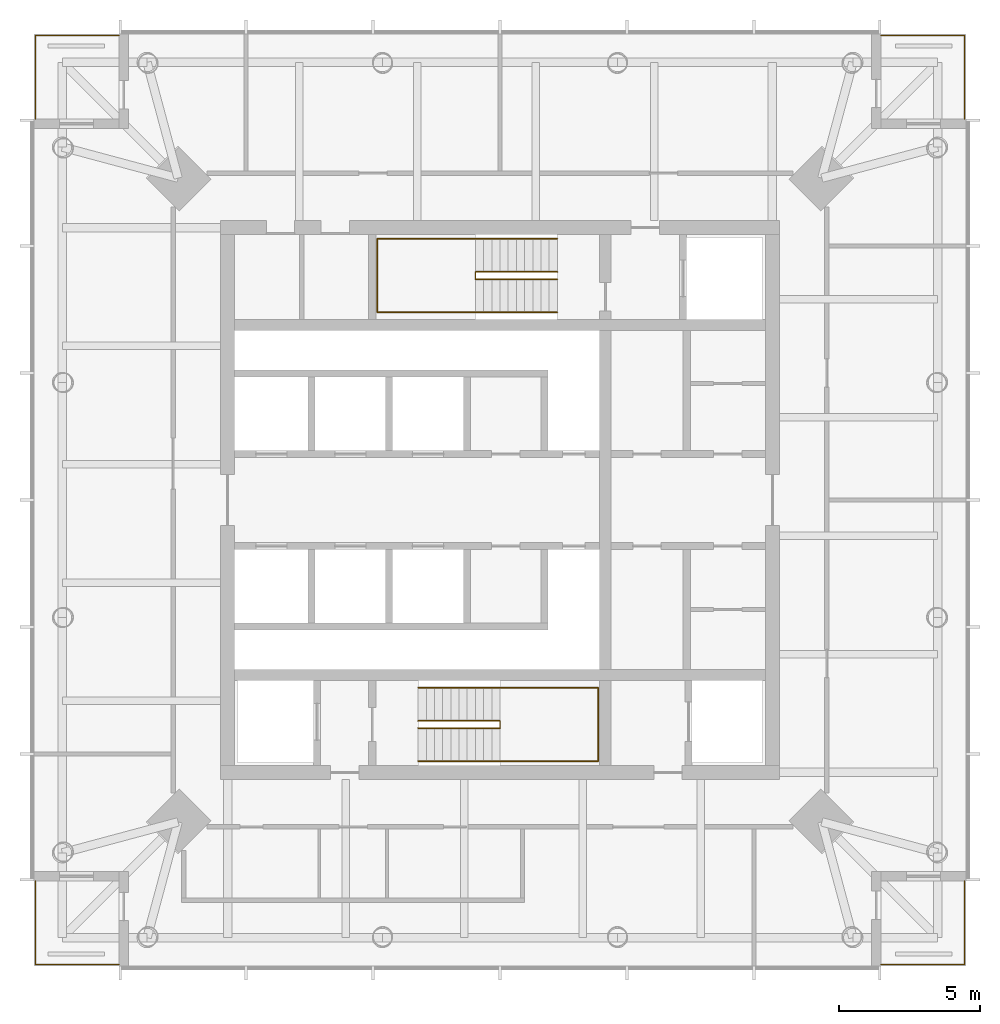
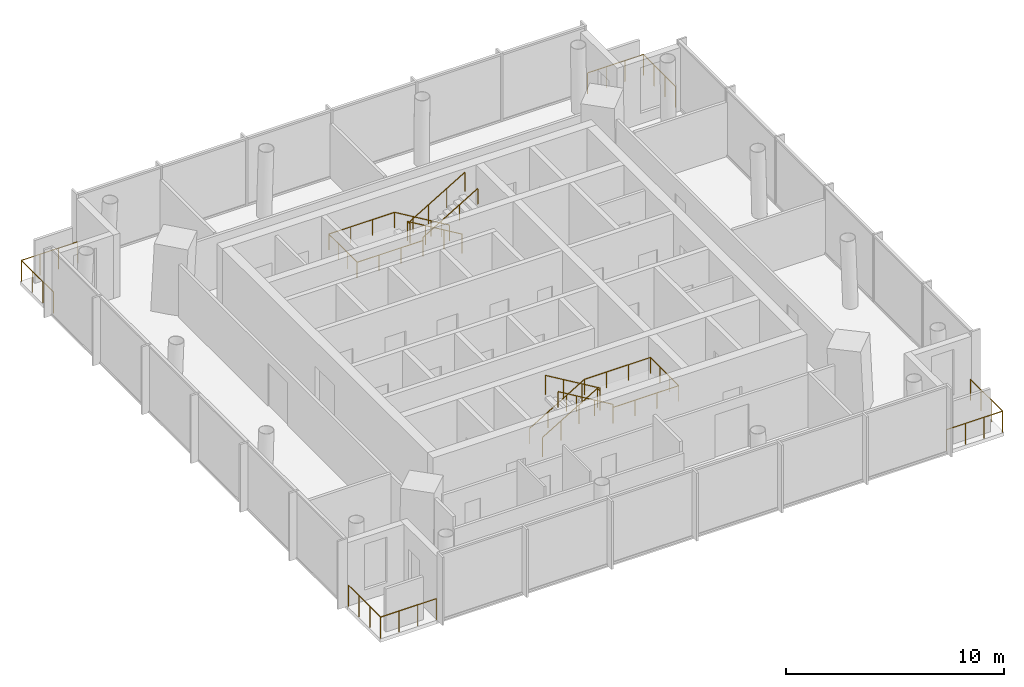
# One storey, part 7 of 7: 8 railings.
"""IFC4 building model written with IfcOpenShell, lengths in metres."""

from ifc_helpers import new_model, si_unit, direction, frame, origin, origin_2d, place, context, subcontext, project, spatial, circle, extrude, material, type_object, element, save


model = new_model("IFC4")

# Units and contexts
model_context = context("Model", 3, precision=1e-05, world=origin(), true_north=direction((0.0, 1.0)))
body_context = subcontext(model_context, "Body", "Model", "MODEL_VIEW")
ifc_project = project(units=[si_unit("LENGTHUNIT", "METRE"), si_unit("AREAUNIT", "SQUARE_METRE"), si_unit("VOLUMEUNIT", "CUBIC_METRE"), si_unit("PLANEANGLEUNIT", "RADIAN"), si_unit("MASSUNIT", "GRAM", prefix="KILO")], contexts=[model_context])

# Site, building, storey
site_placement = place(None, origin())
site = spatial("IfcSite", under=ifc_project, at=site_placement, CompositionType="ELEMENT")
building_placement = place(site_placement, origin())
building = spatial("IfcBuilding", under=site, at=building_placement, Name="Ostroluk Exchange", CompositionType="ELEMENT")
storey_placement = place(building_placement, frame((0.0, 0.0, 287.0)))
storey = spatial("IfcBuildingStorey", under=building, at=storey_placement, Name="L74", CompositionType="ELEMENT", Elevation=287.0)

# Railings
ifc_material_1 = material(Name="Laminated toughened glass", Category="glass")
railing_type_1 = type_object("IfcRailingType", Name="Observation guard 1200 glass", PredefinedType="GUARDRAIL", material=ifc_material_1)
railing_1_placement = place(storey_placement, frame((58.5, 29.550048828125, 0.0)))
element("IfcRailing", 1, at=railing_1_placement, inside=storey, type_object=railing_type_1, Name="Office tower SE balcony guard L74", PredefinedType="GUARDRAIL", context=body_context, shape_type="SweptSolid", body=[
    extrude(circle(Radius=0.02392578125, at=origin_2d()), frame((0.0, 0.0, 1.17578125), z_axis=(1.0, 0.0, 0.0), x_axis=(0.0, 1.0, 0.0)), (0.0, 0.0, 1.0), 2.949951171875),
    extrude(circle(Radius=0.02392578125, at=origin_2d()), frame((2.949951171875, 0.0, 1.17578125), z_axis=(0.0, 1.0, 0.0), x_axis=(-1.0, 0.0, 0.0)), (0.0, 0.0, 1.0), 2.949951171875),
    extrude(circle(Radius=0.02099609375, at=origin_2d()), origin(), (0.0, 0.0, 1.0), 1.15185546875),
    extrude(circle(Radius=0.02099609375, at=origin_2d()), frame((0.9833984375, 0.0, 0.0)), (0.0, 0.0, 1.0), 1.15185546875),
    extrude(circle(Radius=0.02099609375, at=origin_2d()), frame((1.966552734375, 0.0, 0.0)), (0.0, 0.0, 1.0), 1.15185546875),
    extrude(circle(Radius=0.02099609375, at=origin_2d()), frame((2.949951171875, 0.0, 0.0)), (0.0, 0.0, 1.0), 1.15185546875),
    extrude(circle(Radius=0.02099609375, at=origin_2d()), frame((2.949951171875, 0.9833984375, 0.0)), (0.0, 0.0, 1.0), 1.15185546875),
    extrude(circle(Radius=0.02099609375, at=origin_2d()), frame((2.949951171875, 1.966552734375, 0.0)), (0.0, 0.0, 1.0), 1.15185546875),
    extrude(circle(Radius=0.02099609375, at=origin_2d()), frame((2.949951171875, 2.949951171875, 0.0)), (0.0, 0.0, 1.0), 1.15185546875),
])
railing_2_placement = place(storey_placement, frame((58.5, 62.449951171875, 0.0)))
element("IfcRailing", 2, at=railing_2_placement, inside=storey, type_object=railing_type_1, Name="Office tower NE balcony guard L74", PredefinedType="GUARDRAIL", context=body_context, shape_type="SweptSolid", body=[
    extrude(circle(Radius=0.02392578125, at=origin_2d()), frame((0.0, 0.0, 1.17578125), z_axis=(1.0, 0.0, 0.0), x_axis=(0.0, 1.0, 0.0)), (0.0, 0.0, 1.0), 2.949951171875),
    extrude(circle(Radius=0.02392578125, at=origin_2d()), frame((2.949951171875, 0.0, 1.17578125), z_axis=(0.0, -1.0, 0.0), x_axis=(1.0, 0.0, 0.0)), (0.0, 0.0, 1.0), 2.949951171875),
    extrude(circle(Radius=0.02099609375, at=origin_2d()), origin(), (0.0, 0.0, 1.0), 1.15185546875),
    extrude(circle(Radius=0.02099609375, at=origin_2d()), frame((0.9833984375, 0.0, 0.0)), (0.0, 0.0, 1.0), 1.15185546875),
    extrude(circle(Radius=0.02099609375, at=origin_2d()), frame((1.966552734375, 0.0, 0.0)), (0.0, 0.0, 1.0), 1.15185546875),
    extrude(circle(Radius=0.02099609375, at=origin_2d()), frame((2.949951171875, 0.0, 0.0)), (0.0, 0.0, 1.0), 1.15185546875),
    extrude(circle(Radius=0.02099609375, at=origin_2d()), frame((2.949951171875, -0.9833984375, 0.0)), (0.0, 0.0, 1.0), 1.15185546875),
    extrude(circle(Radius=0.02099609375, at=origin_2d()), frame((2.949951171875, -1.966552734375, 0.0)), (0.0, 0.0, 1.0), 1.15185546875),
    extrude(circle(Radius=0.02099609375, at=origin_2d()), frame((2.949951171875, -2.949951171875, 0.0)), (0.0, 0.0, 1.0), 1.15185546875),
])
railing_3_placement = place(storey_placement, frame((31.5, 62.449951171875, 0.0)))
element("IfcRailing", 3, at=railing_3_placement, inside=storey, type_object=railing_type_1, Name="Office tower NW balcony guard L74", PredefinedType="GUARDRAIL", context=body_context, shape_type="SweptSolid", body=[
    extrude(circle(Radius=0.02392578125, at=origin_2d()), frame((0.0, 0.0, 1.17578125), z_axis=(-1.0, 0.0, 0.0), x_axis=(0.0, -1.0, 0.0)), (0.0, 0.0, 1.0), 2.949951171875),
    extrude(circle(Radius=0.02392578125, at=origin_2d()), frame((-2.949951171875, 0.0, 1.17578125), z_axis=(0.0, -1.0, 0.0), x_axis=(1.0, 0.0, 0.0)), (0.0, 0.0, 1.0), 2.949951171875),
    extrude(circle(Radius=0.02099609375, at=origin_2d()), origin(), (0.0, 0.0, 1.0), 1.15185546875),
    extrude(circle(Radius=0.02099609375, at=origin_2d()), frame((-0.9833984375, 0.0, 0.0)), (0.0, 0.0, 1.0), 1.15185546875),
    extrude(circle(Radius=0.02099609375, at=origin_2d()), frame((-1.966552734375, 0.0, 0.0)), (0.0, 0.0, 1.0), 1.15185546875),
    extrude(circle(Radius=0.02099609375, at=origin_2d()), frame((-2.949951171875, 0.0, 0.0)), (0.0, 0.0, 1.0), 1.15185546875),
    extrude(circle(Radius=0.02099609375, at=origin_2d()), frame((-2.949951171875, -0.9833984375, 0.0)), (0.0, 0.0, 1.0), 1.15185546875),
    extrude(circle(Radius=0.02099609375, at=origin_2d()), frame((-2.949951171875, -1.966552734375, 0.0)), (0.0, 0.0, 1.0), 1.15185546875),
    extrude(circle(Radius=0.02099609375, at=origin_2d()), frame((-2.949951171875, -2.949951171875, 0.0)), (0.0, 0.0, 1.0), 1.15185546875),
])
railing_4_placement = place(storey_placement, frame((31.5, 29.550048828125, 0.0)))
element("IfcRailing", 4, at=railing_4_placement, inside=storey, type_object=railing_type_1, Name="Office tower SW balcony guard L74", PredefinedType="GUARDRAIL", context=body_context, shape_type="SweptSolid", body=[
    extrude(circle(Radius=0.02392578125, at=origin_2d()), frame((0.0, 0.0, 1.17578125), z_axis=(-1.0, 0.0, 0.0), x_axis=(0.0, -1.0, 0.0)), (0.0, 0.0, 1.0), 2.949951171875),
    extrude(circle(Radius=0.02392578125, at=origin_2d()), frame((-2.949951171875, 0.0, 1.17578125), z_axis=(0.0, 1.0, 0.0), x_axis=(-1.0, 0.0, 0.0)), (0.0, 0.0, 1.0), 2.949951171875),
    extrude(circle(Radius=0.02099609375, at=origin_2d()), origin(), (0.0, 0.0, 1.0), 1.15185546875),
    extrude(circle(Radius=0.02099609375, at=origin_2d()), frame((-0.9833984375, 0.0, 0.0)), (0.0, 0.0, 1.0), 1.15185546875),
    extrude(circle(Radius=0.02099609375, at=origin_2d()), frame((-1.966552734375, 0.0, 0.0)), (0.0, 0.0, 1.0), 1.15185546875),
    extrude(circle(Radius=0.02099609375, at=origin_2d()), frame((-2.949951171875, 0.0, 0.0)), (0.0, 0.0, 1.0), 1.15185546875),
    extrude(circle(Radius=0.02099609375, at=origin_2d()), frame((-2.949951171875, 0.9833984375, 0.0)), (0.0, 0.0, 1.0), 1.15185546875),
    extrude(circle(Radius=0.02099609375, at=origin_2d()), frame((-2.949951171875, 1.966552734375, 0.0)), (0.0, 0.0, 1.0), 1.15185546875),
    extrude(circle(Radius=0.02099609375, at=origin_2d()), frame((-2.949951171875, 2.949951171875, 0.0)), (0.0, 0.0, 1.0), 1.15185546875),
])
ifc_material_2 = material(Name="Steel S355", Category="steel")
railing_type_2 = type_object("IfcRailingType", Name="Stair guard 1100", PredefinedType="GUARDRAIL", material=ifc_material_2)
railing_5_placement = place(storey_placement, frame((42.10009765625, 38.179931640625, 0.172607421875)))
element("IfcRailing", 5, at=railing_5_placement, inside=storey, type_object=railing_type_2, Name="Stair T1-S1 guard L74", PredefinedType="GUARDRAIL", context=body_context, shape_type="SweptSolid", body=[
    extrude(circle(Radius=0.02392578125, at=origin_2d()), frame((0.0, 0.0, 1.076171875), z_axis=(0.859141464434, 0.0, 0.511738159696), x_axis=(0.0, 1.0, 0.0)), (0.0, 0.0, 1.0), 3.375244140625),
    extrude(circle(Radius=0.02392578125, at=origin_2d()), frame((2.89990234375, 0.0, 2.80322265625), z_axis=(0.0, -1.0, 0.0), x_axis=(1.0, 0.0, 0.0)), (0.0, 0.0, 1.0), 0.260009765625),
    extrude(circle(Radius=0.02392578125, at=origin_2d()), frame((2.89990234375, -0.260009765625, 2.80322265625), z_axis=(0.0, 0.0, 1.0), x_axis=(1.0, 0.0, 0.0)), (0.0, 0.0, 1.0), 0.1728515625),
    extrude(circle(Radius=0.02392578125, at=origin_2d()), frame((2.89990234375, -0.260009765625, 2.97607421875), z_axis=(-0.859141464434, 0.0, 0.511738159696), x_axis=(0.0, -1.0, 0.0)), (0.0, 0.0, 1.0), 3.375244140625),
    extrude(circle(Radius=0.02099609375, at=origin_2d()), origin(), (0.0, 0.0, 1.0), 1.052001953125),
    extrude(circle(Radius=0.02099609375, at=origin_2d()), frame((0.966552734375, 0.0, 0.57568359375)), (0.0, 0.0, 1.0), 1.052001953125),
    extrude(circle(Radius=0.02099609375, at=origin_2d()), frame((1.933349609375, 0.0, 1.151611328125)), (0.0, 0.0, 1.0), 1.052001953125),
    extrude(circle(Radius=0.02099609375, at=origin_2d()), frame((2.89990234375, 0.0, 1.727294921875)), (0.0, 0.0, 1.0), 1.052001953125),
    extrude(circle(Radius=0.02099609375, at=origin_2d()), frame((2.89990234375, -0.260009765625, 1.727294921875)), (0.0, 0.0, 1.0), 1.052001953125),
    extrude(circle(Radius=0.02099609375, at=origin_2d()), frame((2.89990234375, -0.260009765625, 1.900146484375)), (0.0, 0.0, 1.0), 1.052001953125),
    extrude(circle(Radius=0.02099609375, at=origin_2d()), frame((1.933349609375, -0.260009765625, 2.475830078125)), (0.0, 0.0, 1.0), 1.052001953125),
    extrude(circle(Radius=0.02099609375, at=origin_2d()), frame((0.966552734375, -0.260009765625, 3.0517578125)), (0.0, 0.0, 1.0), 1.052001953125),
    extrude(circle(Radius=0.02099609375, at=origin_2d()), frame((0.0, -0.260009765625, 3.62744140625)), (0.0, 0.0, 1.0), 1.052001953125),
])
railing_6_placement = place(storey_placement, frame((47.030029296875, 54.080078125, 0.172607421875)))
element("IfcRailing", 6, at=railing_6_placement, inside=storey, type_object=railing_type_2, Name="Stair T1-S2 guard L74", PredefinedType="GUARDRAIL", context=body_context, shape_type="SweptSolid", body=[
    extrude(circle(Radius=0.02392578125, at=origin_2d()), frame((0.0, 0.0, 1.076171875), z_axis=(-0.859160404282, 0.0, 0.51170636083), x_axis=(0.0, -1.0, 0.0)), (0.0, 0.0, 1.0), 3.37548828125),
    extrude(circle(Radius=0.02392578125, at=origin_2d()), frame((-2.900146484375, 0.0, 2.80322265625), z_axis=(0.0, -1.0, 0.0), x_axis=(1.0, 0.0, 0.0)), (0.0, 0.0, 1.0), 0.260009765625),
    extrude(circle(Radius=0.02392578125, at=origin_2d()), frame((-2.900146484375, -0.260009765625, 2.80322265625), z_axis=(0.0, 0.0, 1.0), x_axis=(1.0, 0.0, 0.0)), (0.0, 0.0, 1.0), 0.1728515625),
    extrude(circle(Radius=0.02392578125, at=origin_2d()), frame((-2.900146484375, -0.260009765625, 2.97607421875), z_axis=(0.859160404282, 0.0, 0.51170636083), x_axis=(0.0, 1.0, 0.0)), (0.0, 0.0, 1.0), 3.37548828125),
    extrude(circle(Radius=0.02099609375, at=origin_2d()), origin(), (0.0, 0.0, 1.0), 1.052001953125),
    extrude(circle(Radius=0.02099609375, at=origin_2d()), frame((-0.966796875, 0.0, 0.57568359375)), (0.0, 0.0, 1.0), 1.052001953125),
    extrude(circle(Radius=0.02099609375, at=origin_2d()), frame((-1.933349609375, 0.0, 1.151611328125)), (0.0, 0.0, 1.0), 1.052001953125),
    extrude(circle(Radius=0.02099609375, at=origin_2d()), frame((-2.900146484375, 0.0, 1.727294921875)), (0.0, 0.0, 1.0), 1.052001953125),
    extrude(circle(Radius=0.02099609375, at=origin_2d()), frame((-2.900146484375, -0.260009765625, 1.727294921875)), (0.0, 0.0, 1.0), 1.052001953125),
    extrude(circle(Radius=0.02099609375, at=origin_2d()), frame((-2.900146484375, -0.260009765625, 1.900146484375)), (0.0, 0.0, 1.0), 1.052001953125),
    extrude(circle(Radius=0.02099609375, at=origin_2d()), frame((-1.933349609375, -0.260009765625, 2.475830078125)), (0.0, 0.0, 1.0), 1.052001953125),
    extrude(circle(Radius=0.02099609375, at=origin_2d()), frame((-0.966796875, -0.260009765625, 3.0517578125)), (0.0, 0.0, 1.0), 1.052001953125),
    extrude(circle(Radius=0.02099609375, at=origin_2d()), frame((0.0, -0.260009765625, 3.62744140625)), (0.0, 0.0, 1.0), 1.052001953125),
])
ifc_material_3 = material(Name="Stainless steel", Category="steel")
railing_type_3 = type_object("IfcRailingType", Name="Stair handrail 900", PredefinedType="HANDRAIL", material=ifc_material_3)
railing_7_placement = place(storey_placement, frame((42.10009765625, 39.35009765625, 0.172607421875)))
element("IfcRailing", 7, at=railing_7_placement, inside=storey, type_object=railing_type_3, Name="Stair T1-S1 handrail L74", PredefinedType="HANDRAIL", context=body_context, shape_type="SweptSolid", body=[
    extrude(circle(Radius=0.02392578125, at=origin_2d()), frame((0.0, 0.0, 0.8759765625), z_axis=(0.859141464434, 0.0, 0.511738159696), x_axis=(0.0, 1.0, 0.0)), (0.0, 0.0, 1.0), 3.375244140625),
    extrude(circle(Radius=0.02392578125, at=origin_2d()), frame((2.89990234375, 0.0, 2.60302734375), z_axis=(1.0, 0.0, 0.0), x_axis=(0.0, 1.0, 0.0)), (0.0, 0.0, 1.0), 3.47998046875),
    extrude(circle(Radius=0.02392578125, at=origin_2d()), frame((6.3798828125, 0.0, 2.60302734375), z_axis=(0.0, -1.0, 0.0), x_axis=(1.0, 0.0, 0.0)), (0.0, 0.0, 1.0), 2.60009765625),
    extrude(circle(Radius=0.02392578125, at=origin_2d()), frame((6.3798828125, -2.60009765625, 2.60302734375), z_axis=(-1.0, 0.0, 0.0), x_axis=(0.0, -1.0, 0.0)), (0.0, 0.0, 1.0), 3.47998046875),
    extrude(circle(Radius=0.02392578125, at=origin_2d()), frame((2.89990234375, -2.60009765625, 2.60302734375), z_axis=(0.0, 0.0, 1.0), x_axis=(1.0, 0.0, 0.0)), (0.0, 0.0, 1.0), 0.1728515625),
    extrude(circle(Radius=0.02392578125, at=origin_2d()), frame((2.89990234375, -2.60009765625, 2.77587890625), z_axis=(-0.859141464434, 0.0, 0.511738159696), x_axis=(0.0, -1.0, 0.0)), (0.0, 0.0, 1.0), 3.375244140625),
    extrude(circle(Radius=0.02099609375, at=origin_2d()), origin(), (0.0, 0.0, 1.0), 0.851806640625),
    extrude(circle(Radius=0.02099609375, at=origin_2d()), frame((0.966552734375, 0.0, 0.57568359375)), (0.0, 0.0, 1.0), 0.851806640625),
    extrude(circle(Radius=0.02099609375, at=origin_2d()), frame((1.933349609375, 0.0, 1.151611328125)), (0.0, 0.0, 1.0), 0.851806640625),
    extrude(circle(Radius=0.02099609375, at=origin_2d()), frame((2.89990234375, 0.0, 1.727294921875)), (0.0, 0.0, 1.0), 0.851806640625),
    extrude(circle(Radius=0.02099609375, at=origin_2d()), frame((4.059814453125, 0.0, 1.727294921875)), (0.0, 0.0, 1.0), 0.851806640625),
    extrude(circle(Radius=0.02099609375, at=origin_2d()), frame((5.219970703125, 0.0, 1.727294921875)), (0.0, 0.0, 1.0), 0.851806640625),
    extrude(circle(Radius=0.02099609375, at=origin_2d()), frame((6.3798828125, 0.0, 1.727294921875)), (0.0, 0.0, 1.0), 0.851806640625),
    extrude(circle(Radius=0.02099609375, at=origin_2d()), frame((6.3798828125, -0.86669921875, 1.727294921875)), (0.0, 0.0, 1.0), 0.851806640625),
    extrude(circle(Radius=0.02099609375, at=origin_2d()), frame((6.3798828125, -1.7333984375, 1.727294921875)), (0.0, 0.0, 1.0), 0.851806640625),
    extrude(circle(Radius=0.02099609375, at=origin_2d()), frame((6.3798828125, -2.60009765625, 1.727294921875)), (0.0, 0.0, 1.0), 0.851806640625),
    extrude(circle(Radius=0.02099609375, at=origin_2d()), frame((5.219970703125, -2.60009765625, 1.727294921875)), (0.0, 0.0, 1.0), 0.851806640625),
    extrude(circle(Radius=0.02099609375, at=origin_2d()), frame((4.059814453125, -2.60009765625, 1.727294921875)), (0.0, 0.0, 1.0), 0.851806640625),
    extrude(circle(Radius=0.02099609375, at=origin_2d()), frame((2.89990234375, -2.60009765625, 1.727294921875)), (0.0, 0.0, 1.0), 0.851806640625),
    extrude(circle(Radius=0.02099609375, at=origin_2d()), frame((2.89990234375, -2.60009765625, 1.900146484375)), (0.0, 0.0, 1.0), 0.851806640625),
    extrude(circle(Radius=0.02099609375, at=origin_2d()), frame((1.933349609375, -2.60009765625, 2.475830078125)), (0.0, 0.0, 1.0), 0.851806640625),
    extrude(circle(Radius=0.02099609375, at=origin_2d()), frame((0.966552734375, -2.60009765625, 3.0517578125)), (0.0, 0.0, 1.0), 0.851806640625),
    extrude(circle(Radius=0.02099609375, at=origin_2d()), frame((0.0, -2.60009765625, 3.62744140625)), (0.0, 0.0, 1.0), 0.851806640625),
])
railing_8_placement = place(storey_placement, frame((47.030029296875, 55.25, 0.172607421875)))
element("IfcRailing", 8, at=railing_8_placement, inside=storey, type_object=railing_type_3, Name="Stair T1-S2 handrail L74", PredefinedType="HANDRAIL", context=body_context, shape_type="SweptSolid", body=[
    extrude(circle(Radius=0.02392578125, at=origin_2d()), frame((0.0, 0.0, 0.8759765625), z_axis=(-0.859160404282, 0.0, 0.51170636083), x_axis=(0.0, -1.0, 0.0)), (0.0, 0.0, 1.0), 3.37548828125),
    extrude(circle(Radius=0.02392578125, at=origin_2d()), frame((-2.900146484375, 0.0, 2.60302734375), z_axis=(-1.0, 0.0, 0.0), x_axis=(0.0, -1.0, 0.0)), (0.0, 0.0, 1.0), 3.47998046875),
    extrude(circle(Radius=0.02392578125, at=origin_2d()), frame((-6.380126953125, 0.0, 2.60302734375), z_axis=(0.0, -1.0, 0.0), x_axis=(1.0, 0.0, 0.0)), (0.0, 0.0, 1.0), 2.60009765625),
    extrude(circle(Radius=0.02392578125, at=origin_2d()), frame((-6.380126953125, -2.60009765625, 2.60302734375), z_axis=(1.0, 0.0, 0.0), x_axis=(0.0, 1.0, 0.0)), (0.0, 0.0, 1.0), 3.47998046875),
    extrude(circle(Radius=0.02392578125, at=origin_2d()), frame((-2.900146484375, -2.60009765625, 2.60302734375), z_axis=(0.0, 0.0, 1.0), x_axis=(1.0, 0.0, 0.0)), (0.0, 0.0, 1.0), 0.1728515625),
    extrude(circle(Radius=0.02392578125, at=origin_2d()), frame((-2.900146484375, -2.60009765625, 2.77587890625), z_axis=(0.859160404282, 0.0, 0.51170636083), x_axis=(0.0, 1.0, 0.0)), (0.0, 0.0, 1.0), 3.37548828125),
    extrude(circle(Radius=0.02099609375, at=origin_2d()), origin(), (0.0, 0.0, 1.0), 0.851806640625),
    extrude(circle(Radius=0.02099609375, at=origin_2d()), frame((-0.966796875, 0.0, 0.57568359375)), (0.0, 0.0, 1.0), 0.851806640625),
    extrude(circle(Radius=0.02099609375, at=origin_2d()), frame((-1.933349609375, 0.0, 1.151611328125)), (0.0, 0.0, 1.0), 0.851806640625),
    extrude(circle(Radius=0.02099609375, at=origin_2d()), frame((-2.900146484375, 0.0, 1.727294921875)), (0.0, 0.0, 1.0), 0.851806640625),
    extrude(circle(Radius=0.02099609375, at=origin_2d()), frame((-4.06005859375, 0.0, 1.727294921875)), (0.0, 0.0, 1.0), 0.851806640625),
    extrude(circle(Radius=0.02099609375, at=origin_2d()), frame((-5.22021484375, 0.0, 1.727294921875)), (0.0, 0.0, 1.0), 0.851806640625),
    extrude(circle(Radius=0.02099609375, at=origin_2d()), frame((-6.380126953125, 0.0, 1.727294921875)), (0.0, 0.0, 1.0), 0.851806640625),
    extrude(circle(Radius=0.02099609375, at=origin_2d()), frame((-6.380126953125, -0.86669921875, 1.727294921875)), (0.0, 0.0, 1.0), 0.851806640625),
    extrude(circle(Radius=0.02099609375, at=origin_2d()), frame((-6.380126953125, -1.7333984375, 1.727294921875)), (0.0, 0.0, 1.0), 0.851806640625),
    extrude(circle(Radius=0.02099609375, at=origin_2d()), frame((-6.380126953125, -2.60009765625, 1.727294921875)), (0.0, 0.0, 1.0), 0.851806640625),
    extrude(circle(Radius=0.02099609375, at=origin_2d()), frame((-5.22021484375, -2.60009765625, 1.727294921875)), (0.0, 0.0, 1.0), 0.851806640625),
    extrude(circle(Radius=0.02099609375, at=origin_2d()), frame((-4.06005859375, -2.60009765625, 1.727294921875)), (0.0, 0.0, 1.0), 0.851806640625),
    extrude(circle(Radius=0.02099609375, at=origin_2d()), frame((-2.900146484375, -2.60009765625, 1.727294921875)), (0.0, 0.0, 1.0), 0.851806640625),
    extrude(circle(Radius=0.02099609375, at=origin_2d()), frame((-2.900146484375, -2.60009765625, 1.900146484375)), (0.0, 0.0, 1.0), 0.851806640625),
    extrude(circle(Radius=0.02099609375, at=origin_2d()), frame((-1.933349609375, -2.60009765625, 2.475830078125)), (0.0, 0.0, 1.0), 0.851806640625),
    extrude(circle(Radius=0.02099609375, at=origin_2d()), frame((-0.966796875, -2.60009765625, 3.0517578125)), (0.0, 0.0, 1.0), 0.851806640625),
    extrude(circle(Radius=0.02099609375, at=origin_2d()), frame((0.0, -2.60009765625, 3.62744140625)), (0.0, 0.0, 1.0), 0.851806640625),
])

save(model, "model.ifc")
